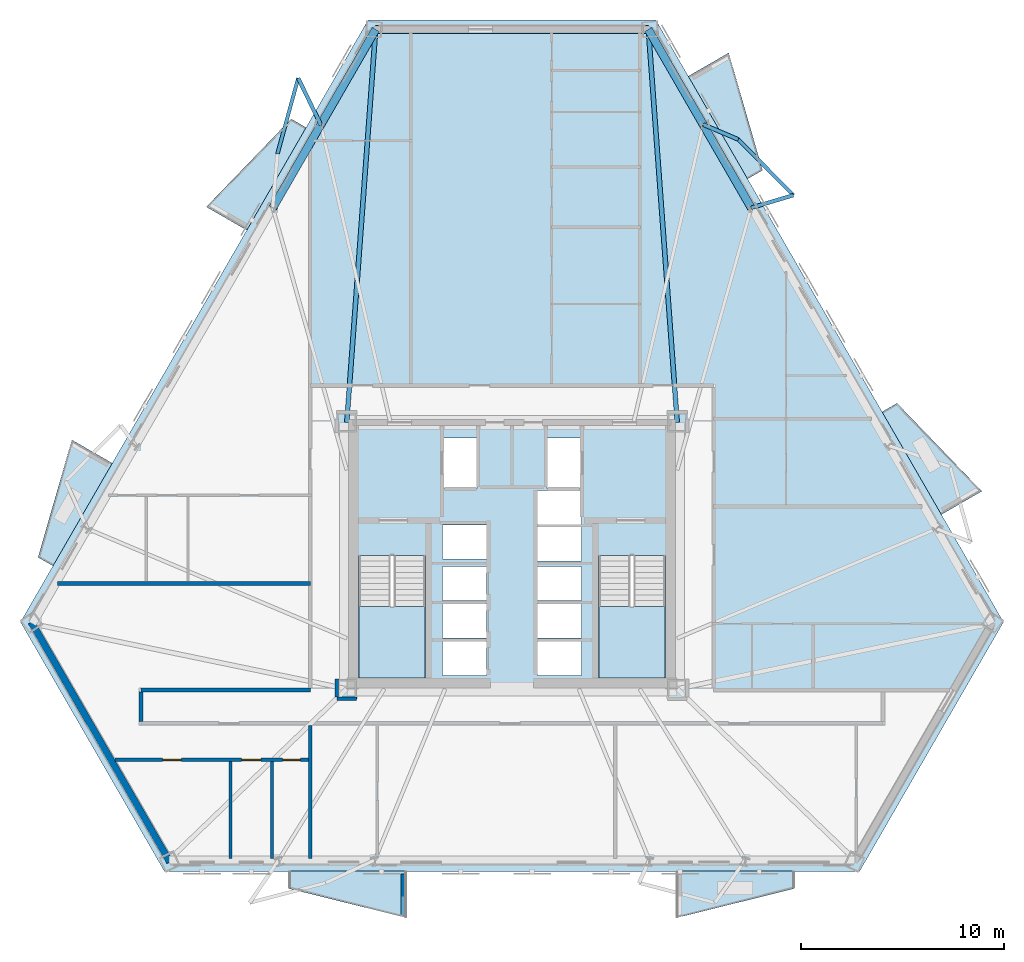
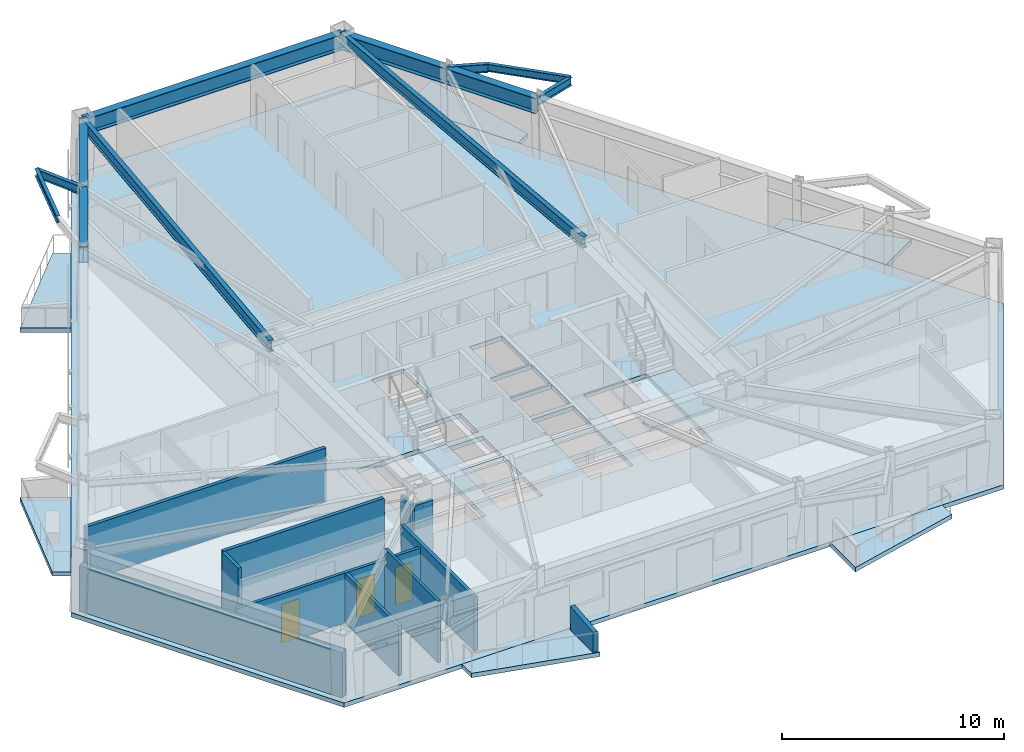
# One storey, part 2 of 10: 12 beams, 11 walls, 9 slabs, 3 doors, 3 openings, 2 elements without a shape of their own.
"""IFC4 building model written with IfcOpenShell, lengths in metres."""

from ifc_helpers import new_model, si_unit, direction, frame, frame_2d, origin, origin_2d, place, context, subcontext, project, spatial, polyline, rectangle, i_section, outline, extrude, material, layer, layer_set, material_profile, profile_set, type_object, element, fill, aggregate, save


model = new_model("IFC4")

# Units and contexts
model_context = context("Model", 3, precision=1e-05, world=origin(), true_north=direction((0.0, 1.0)))
body_context = subcontext(model_context, "Body", "Model", "MODEL_VIEW")
ifc_project = project(units=[si_unit("LENGTHUNIT", "METRE"), si_unit("AREAUNIT", "SQUARE_METRE"), si_unit("VOLUMEUNIT", "CUBIC_METRE"), si_unit("PLANEANGLEUNIT", "RADIAN"), si_unit("MASSUNIT", "GRAM", prefix="KILO")], contexts=[model_context])

# Site, building, storey
site_placement = place(None, origin())
site = spatial("IfcSite", under=ifc_project, at=site_placement, CompositionType="ELEMENT")
building_placement = place(site_placement, origin())
building = spatial("IfcBuilding", under=site, at=building_placement, Name="Oramaril Tower", CompositionType="ELEMENT")
storey_placement = place(building_placement, frame((0.0, 0.0, 66.89990234375)))
storey = spatial("IfcBuildingStorey", under=building, at=storey_placement, Name="L17", CompositionType="ELEMENT", Elevation=66.89990234375)

# Beams
ifc_material_1 = material(Name="Steel ASTM A572 Gr 50", Category="steel")
ifc_material_profile_1 = material_profile(ifc_material_1, i_section(OverallWidth=0.19091796875, OverallDepth=0.45703125, WebThickness=0.009033203125, FlangeThickness=0.014404296875, at=origin_2d()), Name="W18X50")
ifc_profile_set_1 = profile_set([ifc_material_profile_1], Name="Steel ASTM A572 Gr 50")
beam_type_1 = type_object("IfcBeamType", Name="BT-BB1", PredefinedType="BEAM", material=ifc_profile_set_1)
beam_1_placement = place(storey_placement, frame((49.304443359375, 34.73291015625, 3.131591796875), z_axis=(0.958172908425, 0.286189932667, 0.0), x_axis=(-0.286189932667, 0.958172908425, 0.0)))
element("IfcBeam", 1, at=beam_1_placement, inside=storey, type_object=beam_type_1, Name="L17 Balcony Column-Framed Cantilever 04.1", PredefinedType="BEAM", context=body_context, shape_type="SweptSolid", body=[
    extrude(i_section(OverallWidth=0.19091796875, OverallDepth=0.45703125, WebThickness=0.009033203125, FlangeThickness=0.014404296875, at=origin_2d()), origin(), (0.0, 0.0, 1.0), 2.166748046875),
])
beam_2_placement = place(storey_placement, frame((46.934814453125, 38.837158203125, 3.131591796875), z_axis=(0.920614426682, -0.390472889437, 0.0), x_axis=(0.390472889437, 0.920614426682, 0.0)))
element("IfcBeam", 2, at=beam_2_placement, inside=storey, type_object=beam_type_1, Name="L17 Balcony Column-Framed Cantilever 04.2", PredefinedType="BEAM", context=body_context, shape_type="SweptSolid", body=[
    extrude(i_section(OverallWidth=0.19091796875, OverallDepth=0.45703125, WebThickness=0.009033203125, FlangeThickness=0.014404296875, at=origin_2d()), origin(), (0.0, 0.0, 1.0), 1.873779296875),
])
beam_3_placement = place(storey_placement, frame((28.065185546875, 38.837158203125, 3.131591796875), z_axis=(-0.436289971308, 0.899806124082, 0.0), x_axis=(-0.899806124082, -0.436289971308, 0.0)))
element("IfcBeam", 3, at=beam_3_placement, inside=storey, type_object=beam_type_1, Name="L17 Balcony Column-Framed Cantilever 05.1", PredefinedType="BEAM", context=body_context, shape_type="SweptSolid", body=[
    extrude(i_section(OverallWidth=0.19091796875, OverallDepth=0.45703125, WebThickness=0.009033203125, FlangeThickness=0.014404296875, at=origin_2d()), origin(), (0.0, 0.0, 1.0), 2.546630859375),
])
ifc_material_2 = material(Name="Steel ASTM A572 Gr 50", Category="steel")
ifc_material_profile_2 = material_profile(ifc_material_2, i_section(OverallWidth=0.22900390625, OverallDepth=0.612060546875, WebThickness=0.011962890625, FlangeThickness=0.01953125, at=origin_2d()), Name="W24X84")
ifc_profile_set_2 = profile_set([ifc_material_profile_2], Name="Steel ASTM A572 Gr 50")
beam_type_2 = type_object("IfcBeamType", Name="BT-FB1", PredefinedType="BEAM", material=ifc_profile_set_2)
for number, where, z_axis, x_axis, name in (
    (4, (45.64990234375, 24.14990234375, 3.05419921875), (-0.073241754836, 0.997314215956, 0.0), (-0.997314215956, -0.073241754836, 0.0), "L17 Radial Primary Beam RB-05"),
    (5, (29.35009765625, 24.14990234375, 3.05419921875), (0.073241754836, 0.997314215956, 0.0), (-0.997314215956, 0.073241754836, 0.0), "L17 Radial Primary Beam RB-06"),
):
    element("IfcBeam", number, at=place(storey_placement, frame(where, z_axis=z_axis, x_axis=x_axis)), inside=storey, type_object=beam_type_2, Name=name, PredefinedType="BEAM", context=body_context, shape_type="SweptSolid", body=[
        extrude(i_section(OverallWidth=0.22900390625, OverallDepth=0.612060546875, WebThickness=0.011962890625, FlangeThickness=0.01953125, at=origin_2d()), origin(), (0.0, 0.0, 1.0), 19.43017578125),
    ])
ifc_material_3 = material(Name="Steel ASTM A572 Gr 50", Category="steel")
ifc_material_profile_3 = material_profile(ifc_material_3, i_section(OverallWidth=0.177978515625, OverallDepth=0.404052734375, WebThickness=0.007568359375, FlangeThickness=0.010986328125, at=origin_2d()), Name="W16X36")
ifc_profile_set_3 = profile_set([ifc_material_profile_3], Name="Steel ASTM A572 Gr 50")
beam_type_3 = type_object("IfcBeamType", Name="BT-SB1", PredefinedType="BEAM", material=ifc_profile_set_3)
for number, where, z_axis, x_axis, name in (
    (6, (51.380615234375, 35.35302734375, 3.158203125), (-0.702994511648, 0.71119527318, 0.0), (-0.71119527318, -0.702994511648, 0.0), "L17 Balcony Edge Tie Beam 04"),
    (7, (26.9541015625, 41.128662109375, 3.158203125), (-0.264440915482, -0.964401888332, 0.0), (0.964401888332, -0.264440915482, 0.0), "L17 Balcony Edge Tie Beam 05"),
):
    element("IfcBeam", number, at=place(storey_placement, frame(where, z_axis=z_axis, x_axis=x_axis)), inside=storey, type_object=beam_type_3, Name=name, PredefinedType="BEAM", context=body_context, shape_type="SweptSolid", body=[
        extrude(i_section(OverallWidth=0.177978515625, OverallDepth=0.404052734375, WebThickness=0.007568359375, FlangeThickness=0.010986328125, at=origin_2d()), origin(), (0.0, 0.0, 1.0), 3.8701171875),
    ])
ifc_material_4 = material(Name="Steel ASTM A572 Gr 50", Category="steel")
ifc_material_profile_4 = material_profile(ifc_material_4, i_section(OverallWidth=0.40087890625, OverallDepth=0.85595703125, WebThickness=0.018310546875, FlangeThickness=0.029296875, at=origin_2d()), Name="W33X201")
ifc_profile_set_4 = profile_set([ifc_material_profile_4], Name="Steel ASTM A572 Gr 50")
beam_type_4 = type_object("IfcBeamType", Name="BT-SP1", PredefinedType="SPANDREL", material=ifc_profile_set_4)
beam_4_placement = place(storey_placement, frame((49.304443359375, 34.73291015625, 2.93212890625), z_axis=(-0.500006360488, 0.866021731524, 0.0), x_axis=(-0.866021731524, -0.500006360488, 0.0)))
element("IfcBeam", 8, at=beam_4_placement, inside=storey, type_object=beam_type_4, Name="L17 Perimeter Spandrel 11", PredefinedType="SPANDREL", context=body_context, shape_type="SweptSolid", body=[
    extrude(i_section(OverallWidth=0.40087890625, OverallDepth=0.85595703125, WebThickness=0.018310546875, FlangeThickness=0.029296875, at=origin_2d()), origin(), (0.0, 0.0, 1.0), 4.7392578125),
])
beam_5_placement = place(storey_placement, frame((46.934814453125, 38.837158203125, 2.93212890625), z_axis=(-0.499978677216, 0.86603771415, 0.0), x_axis=(-0.86603771415, -0.499978677216, 0.0)))
element("IfcBeam", 9, at=beam_5_placement, inside=storey, type_object=beam_type_4, Name="L17 Perimeter Spandrel 12", PredefinedType="SPANDREL", context=body_context, shape_type="SweptSolid", body=[
    extrude(i_section(OverallWidth=0.40087890625, OverallDepth=0.85595703125, WebThickness=0.018310546875, FlangeThickness=0.029296875, at=origin_2d()), origin(), (0.0, 0.0, 1.0), 5.416259765625),
])
beam_6_placement = place(storey_placement, frame((44.226806640625, 43.52783203125, 2.93212890625), z_axis=(-1.0, 0.0, 0.0), x_axis=(0.0, -1.0, 0.0)))
element("IfcBeam", 10, at=beam_6_placement, inside=storey, type_object=beam_type_4, Name="L17 Perimeter Spandrel 13", PredefinedType="SPANDREL", context=body_context, shape_type="SweptSolid", body=[
    extrude(i_section(OverallWidth=0.40087890625, OverallDepth=0.85595703125, WebThickness=0.018310546875, FlangeThickness=0.029296875, at=origin_2d()), origin(), (0.0, 0.0, 1.0), 13.45361328125),
])
beam_7_placement = place(storey_placement, frame((30.773193359375, 43.52783203125, 2.93212890625), z_axis=(-0.499978677216, -0.86603771415, 0.0), x_axis=(0.86603771415, -0.499978677216, 0.0)))
element("IfcBeam", 11, at=beam_7_placement, inside=storey, type_object=beam_type_4, Name="L17 Perimeter Spandrel 14", PredefinedType="SPANDREL", context=body_context, shape_type="SweptSolid", body=[
    extrude(i_section(OverallWidth=0.40087890625, OverallDepth=0.85595703125, WebThickness=0.018310546875, FlangeThickness=0.029296875, at=origin_2d()), origin(), (0.0, 0.0, 1.0), 5.416259765625),
])
beam_8_placement = place(storey_placement, frame((28.065185546875, 38.837158203125, 2.93212890625), z_axis=(-0.500006360488, -0.866021731524, 0.0), x_axis=(0.866021731524, -0.500006360488, 0.0)))
element("IfcBeam", 12, at=beam_8_placement, inside=storey, type_object=beam_type_4, Name="L17 Perimeter Spandrel 15", PredefinedType="SPANDREL", context=body_context, shape_type="SweptSolid", body=[
    extrude(i_section(OverallWidth=0.40087890625, OverallDepth=0.85595703125, WebThickness=0.018310546875, FlangeThickness=0.029296875, at=origin_2d()), origin(), (0.0, 0.0, 1.0), 4.7392578125),
])

# Slabs
ifc_material_5 = material(Name="Concrete C40/50", Category="concrete")
ifc_layer_1 = layer(ifc_material_5, 0.199951171875)
ifc_layer_set_1 = layer_set([ifc_layer_1], Name="SLT-BAL20")
slab_type_1 = type_object("IfcSlabType", Name="SLT-BAL20", PredefinedType="FLOOR", material=ifc_layer_set_1)
slab_1_placement = place(storey_placement, frame((0.0, 0.0, -0.239990234375)))
element("IfcSlab", 13, at=slab_1_placement, inside=storey, type_object=slab_type_1, Name="L17 Cantilevered Balcony Slab L17-BAL-S1", PredefinedType="FLOOR", context=body_context, shape_type="SweptSolid", body=[
    extrude(outline(polyline([(26.4775390625, 2.0078125), (32.32763671875, 2.0078125), (32.32763671875, -0.294189453125), (26.4775390625, 1.156005859375), (26.4775390625, 2.0078125)])), origin(), (0.0, 0.0, 1.0), 0.239990234375),
])
slab_2_placement = place(storey_placement, frame((0.0, 0.0, -0.239990234375)))
element("IfcSlab", 14, at=slab_2_placement, inside=storey, type_object=slab_type_1, Name="L17 Cantilevered Balcony Slab L17-BAL-NE2", PredefinedType="FLOOR", context=body_context, shape_type="SweptSolid", body=[
    extrude(outline(polyline([(49.11962890625, 36.15869140625), (46.194580078125, 41.224853515625), (48.188232421875, 42.375732421875), (49.857421875, 36.584716796875), (49.11962890625, 36.15869140625)])), origin(), (0.0, 0.0, 1.0), 0.239990234375),
])
slab_3_placement = place(storey_placement, frame((0.0, 0.0, -0.239990234375)))
element("IfcSlab", 15, at=slab_3_placement, inside=storey, type_object=slab_type_1, Name="L17 Cantilevered Balcony Slab L17-BAL-NW1", PredefinedType="FLOOR", context=body_context, shape_type="SweptSolid", body=[
    extrude(outline(polyline([(27.343017578125, 38.691650390625), (24.41796875, 33.62548828125), (22.42431640625, 34.776611328125), (26.60498046875, 39.11767578125), (27.343017578125, 38.691650390625)])), origin(), (0.0, 0.0, 1.0), 0.239990234375),
])
ifc_material_6 = material(Name="Concrete C50/60", Category="concrete")
ifc_layer_2 = layer(ifc_material_6, 0.239990234375)
ifc_layer_set_2 = layer_set([ifc_layer_2], Name="SLT-FLR24")
slab_type_2 = type_object("IfcSlabType", Name="SLT-FLR24", PredefinedType="FLOOR", material=ifc_layer_set_2)
slab_4_placement = place(storey_placement, frame((0.0, 0.0, -0.239990234375)))
element("IfcSlab", 16, at=slab_4_placement, inside=storey, type_object=slab_type_2, Name="L17 Structural Floor Slab", PredefinedType="FLOOR", context=body_context, shape_type="SweptSolid", body=[
    extrude(outline(polyline([(13.25634765625, 14.297119140625), (20.3525390625, 2.005859375), (54.6474609375, 2.005859375), (61.74365234375, 14.297119140625), (44.59619140625, 43.9970703125), (30.40380859375, 43.9970703125), (13.25634765625, 14.297119140625)]), holes=[polyline([(29.949951171875, 17.58935546875), (29.949951171875, 11.550048828125), (33.219970703125, 11.550048828125), (33.219970703125, 17.58935546875), (29.949951171875, 17.58935546875)]), polyline([(41.780029296875, 17.58935546875), (41.780029296875, 11.550048828125), (45.050048828125, 11.550048828125), (45.050048828125, 17.58935546875), (41.780029296875, 17.58935546875)]), polyline([(34.110107421875, 20.909912109375), (35.7900390625, 20.909912109375), (35.7900390625, 23.389892578125), (34.110107421875, 23.389892578125), (34.110107421875, 20.909912109375)]), polyline([(39.2099609375, 20.909912109375), (40.889892578125, 20.909912109375), (40.889892578125, 23.389892578125), (39.2099609375, 23.389892578125), (39.2099609375, 20.909912109375)]), polyline([(34.06005859375, 11.659912109375), (36.239990234375, 11.659912109375), (36.239990234375, 13.340087890625), (34.06005859375, 13.340087890625), (34.06005859375, 11.659912109375)]), polyline([(34.06005859375, 13.510009765625), (36.239990234375, 13.510009765625), (36.239990234375, 15.18994140625), (34.06005859375, 15.18994140625), (34.06005859375, 13.510009765625)]), polyline([(34.06005859375, 15.360107421875), (36.239990234375, 15.360107421875), (36.239990234375, 17.0400390625), (34.06005859375, 17.0400390625), (34.06005859375, 15.360107421875)]), polyline([(38.760009765625, 11.659912109375), (40.93994140625, 11.659912109375), (40.93994140625, 13.340087890625), (38.760009765625, 13.340087890625), (38.760009765625, 11.659912109375)]), polyline([(38.760009765625, 13.510009765625), (40.93994140625, 13.510009765625), (40.93994140625, 15.18994140625), (38.760009765625, 15.18994140625), (38.760009765625, 13.510009765625)]), polyline([(38.760009765625, 15.360107421875), (40.93994140625, 15.360107421875), (40.93994140625, 17.0400390625), (38.760009765625, 17.0400390625), (38.760009765625, 15.360107421875)]), polyline([(34.06005859375, 17.409912109375), (36.239990234375, 17.409912109375), (36.239990234375, 19.090087890625), (34.06005859375, 19.090087890625), (34.06005859375, 17.409912109375)]), polyline([(38.760009765625, 17.31005859375), (40.93994140625, 17.31005859375), (40.93994140625, 18.989990234375), (38.760009765625, 18.989990234375), (38.760009765625, 17.31005859375)]), polyline([(38.760009765625, 19.110107421875), (40.93994140625, 19.110107421875), (40.93994140625, 20.7900390625), (38.760009765625, 20.7900390625), (38.760009765625, 19.110107421875)])]), origin(), (0.0, 0.0, 1.0), 0.239990234375),
])

# Stair, slab
ifc_material_7 = material(Name="Concrete C50/60", Category="concrete")
stair_type = type_object("IfcStairType", Name="STT-DG-3600", PredefinedType="HALF_TURN_STAIR", material=ifc_material_7)
stair_1_placement = place(storey_placement, origin())
stair_1 = element("IfcStair", 17, at=stair_1_placement, inside=storey, type_object=stair_type, Name="L17 Protected PFP Exit Stair ST-1", PredefinedType="HALF_TURN_STAIR")
ifc_material_8 = material(Name="Concrete C50/60", Category="concrete")
ifc_layer_3 = layer(ifc_material_8, 0.199951171875)
ifc_layer_set_3 = layer_set([ifc_layer_3], Name="SLT-LND20")
slab_type_3 = type_object("IfcSlabType", Name="SLT-LND20", PredefinedType="LANDING", material=ifc_layer_set_3)
slab_5_placement = place(storey_placement, frame((0.0, 0.0, 1.60009765625)))
slab_5 = element("IfcSlab", 18, at=slab_5_placement, type_object=slab_type_3, Name="ST-1 landing 1", PredefinedType="LANDING", context=body_context, shape_type="SweptSolid", body=[
    extrude(outline(polyline([(29.949951171875, 15.070068359375), (29.949951171875, 11.550048828125), (33.219970703125, 11.550048828125), (33.219970703125, 15.070068359375), (29.949951171875, 15.070068359375)])), origin(), (0.0, 0.0, 1.0), 0.199951171875),
])
aggregate(stair_1, [slab_5])

stair_2_placement = place(storey_placement, origin())
stair_2 = element("IfcStair", 19, at=stair_2_placement, inside=storey, type_object=stair_type, Name="L17 Protected PFP Exit Stair ST-2", PredefinedType="HALF_TURN_STAIR")
slab_6_placement = place(storey_placement, frame((0.0, 0.0, 1.60009765625)))
slab_6 = element("IfcSlab", 20, at=slab_6_placement, type_object=slab_type_3, Name="ST-2 landing 1", PredefinedType="LANDING", context=body_context, shape_type="SweptSolid", body=[
    extrude(outline(polyline([(41.780029296875, 15.070068359375), (41.780029296875, 11.550048828125), (45.050048828125, 11.550048828125), (45.050048828125, 15.070068359375), (41.780029296875, 15.070068359375)])), origin(), (0.0, 0.0, 1.0), 0.199951171875),
])
aggregate(stair_2, [slab_6])

# Slabs
ifc_material_9 = material(Name="Concrete C40/50", Category="concrete")
ifc_layer_4 = layer(ifc_material_9, 0.18994140625)
ifc_layer_set_4 = layer_set([ifc_layer_4], Name="SLT-PLN19")
slab_type_4 = type_object("IfcSlabType", Name="SLT-PLN19", PredefinedType="FLOOR", material=ifc_layer_set_4)
slab_7_placement = place(storey_placement, frame((0.0, 0.0, -0.239990234375)))
element("IfcSlab", 21, at=slab_7_placement, inside=storey, type_object=slab_type_4, Name="L17 Tree Planter Balcony Slab L17-BAL-S2", PredefinedType="FLOOR", context=body_context, shape_type="SweptSolid", body=[
    extrude(outline(polyline([(45.597412109375, 2.0078125), (51.447509765625, 2.0078125), (51.447509765625, 1.156005859375), (45.597412109375, -0.294189453125), (45.597412109375, 2.0078125)])), origin(), (0.0, 0.0, 1.0), 0.239990234375),
])
slab_8_placement = place(storey_placement, frame((0.0, 0.0, -0.239990234375)))
element("IfcSlab", 22, at=slab_8_placement, inside=storey, type_object=slab_type_4, Name="L17 Tree Planter Balcony Slab L17-BAL-NE1", PredefinedType="FLOOR", context=body_context, shape_type="SweptSolid", body=[
    extrude(outline(polyline([(58.679443359375, 19.600341796875), (55.75439453125, 24.66650390625), (56.4921875, 25.092529296875), (60.673095703125, 20.75146484375), (58.679443359375, 19.600341796875)])), origin(), (0.0, 0.0, 1.0), 0.239990234375),
])
slab_9_placement = place(storey_placement, frame((0.0, 0.0, -0.239990234375)))
element("IfcSlab", 23, at=slab_9_placement, inside=storey, type_object=slab_type_4, Name="L17 Tree Planter Balcony Slab L17-BAL-NW2", PredefinedType="FLOOR", context=body_context, shape_type="SweptSolid", body=[
    extrude(outline(polyline([(17.782958984375, 22.133544921875), (14.85791015625, 17.0673828125), (14.1201171875, 17.493408203125), (15.789306640625, 23.284423828125), (17.782958984375, 22.133544921875)])), origin(), (0.0, 0.0, 1.0), 0.239990234375),
])

# Walls
ifc_material_10 = material(Name="Warm Cream Limestone", Category="masonry")
ifc_layer_5 = layer(ifc_material_10, 0.340087890625)
ifc_layer_set_5 = layer_set([ifc_layer_5], Name="WT-EXT34")
wall_type_1 = type_object("IfcWallType", Name="WT-EXT34", PredefinedType="SOLIDWALL", material=ifc_layer_set_5)
wall_1_placement = place(storey_placement, frame((13.78759765625, 14.297119140625, 0.0), z_axis=(0.0, 0.0, 1.0), x_axis=(0.499986980295, -0.866032920584, 0.0)))
element("IfcWall", 24, at=wall_1_placement, inside=storey, type_object=wall_type_1, Name="L17 Tower Limestone Facade Wall 1M", PredefinedType="SOLIDWALL", context=body_context, shape_type="SweptSolid", body=[
    extrude(rectangle(XDim=13.661376953125, YDim=0.340087890625, at=frame_2d((6.83056640625, 0.0))), origin(), (0.0, 0.0, 1.0), 2.494140625),
])
ifc_material_11 = material(Name="Concrete C40/50", Category="concrete")
ifc_layer_6 = layer(ifc_material_11, 0.22998046875)
ifc_layer_set_6 = layer_set([ifc_layer_6], Name="WT-PRP23")
wall_type_2 = type_object("IfcWallType", Name="WT-PRP23", PredefinedType="PARAPET", material=ifc_layer_set_6)
wall_2_placement = place(storey_placement, frame((32.147705078125, 1.867919921875, 0.0), z_axis=(0.0, 0.0, 1.0), x_axis=(0.0, -1.0, 0.0)))
element("IfcWall", 25, at=wall_2_placement, inside=storey, type_object=wall_type_2, Name="L17 Trapezoidal Balcony Frame Cheek L17-BAL-S1-R", PredefinedType="PARAPET", context=body_context, shape_type="SweptSolid", body=[
    extrude(outline(polyline([(0.0, 0.0), (2.0419921875, 0.0), (2.0419921875, 1.10009765625), (0.0, 1.320068359375), (0.0, 0.0)])), frame((0.0, 0.114990234375, 0.0), z_axis=(0.0, -1.0, 0.0), x_axis=(1.0, 0.0, 0.0)), (0.0, 0.0, 1.0), 0.22998046875),
])
ifc_material_12 = material(Name="Acoustic Gypsum Board Partition")
ifc_layer_7 = layer(ifc_material_12, 0.139892578125)
ifc_layer_set_7 = layer_set([ifc_layer_7], Name="WT-PT14")
wall_type_3 = type_object("IfcWallType", Name="WT-PT14", PredefinedType="PARTITIONING", material=ifc_layer_set_7)
wall_3_placement = place(storey_placement, frame((25.659912109375, 2.639892578125, 0.0), z_axis=(0.0, 0.0, 1.0), x_axis=(0.0, 1.0, 0.0)))
element("IfcWall", 26, at=wall_3_placement, inside=storey, type_object=wall_type_3, Name="L17 Interior Partition PT-14", PredefinedType="PARTITIONING", context=body_context, shape_type="SweptSolid", body=[
    extrude(rectangle(XDim=4.7861328125, YDim=0.139892578125, at=frame_2d((2.39306640625, 0.0))), origin(), (0.0, 0.0, 1.0), 3.360107421875),
])

# Wall, openings, doors
ifc_material_13 = material(Name="Acoustic Gypsum Board Partition")
ifc_layer_8 = layer(ifc_material_13, 0.159912109375)
ifc_layer_set_8 = layer_set([ifc_layer_8], Name="WT-PT16")
wall_type_4 = type_object("IfcWallType", Name="WT-PT16", PredefinedType="PARTITIONING", material=ifc_layer_set_8)
wall_4_placement = place(storey_placement, frame((17.906982421875, 7.510009765625, 0.0), z_axis=(0.0, 0.0, 1.0), x_axis=(1.0, 0.0, 0.0)))
wall_4 = element("IfcWall", 27, at=wall_4_placement, inside=storey, type_object=wall_type_4, Name="L17 Interior Partition PT-16", PredefinedType="PARTITIONING", context=body_context, shape_type="SweptSolid", body=[
    extrude(rectangle(XDim=9.693115234375, YDim=0.159912109375, at=frame_2d((4.8466796875, 0.0))), origin(), (0.0, 0.0, 1.0), 2.738037109375),
])
opening_1_placement = place(wall_4_placement, frame((2.36376953125, 0.0, 0.0)))
opening_1 = element("IfcOpeningElement", 28, at=opening_1_placement, cuts=wall_4, Name="Opening D-L17-01", PredefinedType="OPENING", context=body_context, shape_type="SweptSolid", body=[
    extrude(rectangle(XDim=0.919921875, YDim=2.1201171875, at=frame_2d((0.4599609375, 1.06005859375))), frame((0.0, 0.080078125, 0.0), z_axis=(0.0, -1.0, 0.0), x_axis=(1.0, 0.0, 0.0)), (0.0, 0.0, 1.0), 0.159912109375),
])
opening_2_placement = place(wall_4_placement, frame((6.253173828125, 0.0, 0.0)))
opening_2 = element("IfcOpeningElement", 29, at=opening_2_placement, cuts=wall_4, Name="Opening D-L17-02", PredefinedType="OPENING", context=body_context, shape_type="SweptSolid", body=[
    extrude(rectangle(XDim=0.949951171875, YDim=2.10009765625, at=frame_2d((0.47509765625, 1.050048828125))), frame((0.0, 0.080078125, 0.0), z_axis=(0.0, -1.0, 0.0), x_axis=(1.0, 0.0, 0.0)), (0.0, 0.0, 1.0), 0.159912109375),
])
opening_3_placement = place(wall_4_placement, frame((8.273193359375, 0.0, 0.0)))
opening_3 = element("IfcOpeningElement", 30, at=opening_3_placement, cuts=wall_4, Name="Opening D-L17-03", PredefinedType="OPENING", context=body_context, shape_type="SweptSolid", body=[
    extrude(rectangle(XDim=0.8798828125, YDim=2.080078125, at=frame_2d((0.43994140625, 1.0400390625))), frame((0.0, 0.080078125, 0.0), z_axis=(0.0, -1.0, 0.0), x_axis=(1.0, 0.0, 0.0)), (0.0, 0.0, 1.0), 0.159912109375),
])
ifc_material_14 = material(Name="FSC Brazilian Freijo Hardwood", Category="wood")
door_type_1 = type_object("IfcDoorType", Name="DT-BATH", OperationType="NOTDEFINED", PredefinedType="DOOR", material=ifc_material_14)
door_1_placement = place(opening_3_placement, origin())
door_1 = element("IfcDoor", 31, at=door_1_placement, inside=storey, type_object=door_type_1, Name="L17 Flat L17-U3 Bathroom Door D-L17-03", OperationType="SINGLE_SWING_RIGHT", OverallHeight=2.080078125, OverallWidth=0.8798828125, PredefinedType="DOOR", context=body_context, shape_type="SweptSolid", body=[
    extrude(rectangle(XDim=0.8798828125, YDim=2.080078125, at=frame_2d((0.43994140625, 1.0400390625))), frame((0.0, 0.02490234375, 0.0), z_axis=(0.0, -1.0, 0.0), x_axis=(1.0, 0.0, 0.0)), (0.0, 0.0, 1.0), 0.050048828125),
])
fill(opening_3, door_1)
ifc_material_15 = material(Name="FSC Brazilian Freijo Hardwood", Category="wood")
door_type_2 = type_object("IfcDoorType", Name="DT-BED", OperationType="NOTDEFINED", PredefinedType="DOOR", material=ifc_material_15)
door_2_placement = place(opening_1_placement, origin())
door_2 = element("IfcDoor", 32, at=door_2_placement, inside=storey, type_object=door_type_2, Name="L17 Flat L17-U3 Master Bedroom Door D-L17-01", OperationType="SINGLE_SWING_RIGHT", OverallHeight=2.1201171875, OverallWidth=0.919921875, PredefinedType="DOOR", context=body_context, shape_type="SweptSolid", body=[
    extrude(rectangle(XDim=0.919921875, YDim=2.1201171875, at=frame_2d((0.4599609375, 1.06005859375))), frame((0.0, 0.02490234375, 0.0), z_axis=(0.0, -1.0, 0.0), x_axis=(1.0, 0.0, 0.0)), (0.0, 0.0, 1.0), 0.050048828125),
])
fill(opening_1, door_2)
ifc_material_16 = material(Name="FSC Brazilian Freijo Hardwood", Category="wood")
door_type_3 = type_object("IfcDoorType", Name="DT-STDY", OperationType="NOTDEFINED", PredefinedType="DOOR", material=ifc_material_16)
door_3_placement = place(opening_2_placement, origin())
door_3 = element("IfcDoor", 33, at=door_3_placement, inside=storey, type_object=door_type_3, Name="L17 Flat L17-U3 Kitchen Door D-L17-02", OperationType="SINGLE_SWING_LEFT", OverallHeight=2.10009765625, OverallWidth=0.949951171875, PredefinedType="DOOR", context=body_context, shape_type="SweptSolid", body=[
    extrude(rectangle(XDim=0.949951171875, YDim=2.10009765625, at=frame_2d((0.47509765625, 1.050048828125))), frame((0.0, 0.02490234375, 0.0), z_axis=(0.0, -1.0, 0.0), x_axis=(1.0, 0.0, 0.0)), (0.0, 0.0, 1.0), 0.050048828125),
])
fill(opening_2, door_3)

# Walls
wall_5_placement = place(storey_placement, frame((23.610107421875, 2.639892578125, 0.0), z_axis=(0.0, 0.0, 1.0), x_axis=(0.0, 1.0, 0.0)))
element("IfcWall", 34, at=wall_5_placement, inside=storey, type_object=wall_type_4, Name="L17 Interior Partition PT-16", PredefinedType="PARTITIONING", context=body_context, shape_type="SweptSolid", body=[
    extrude(rectangle(XDim=4.7861328125, YDim=0.159912109375, at=frame_2d((2.39306640625, 0.0))), origin(), (0.0, 0.0, 1.0), 2.738037109375),
])
ifc_material_17 = material(Name="Autoclaved Cellular Concrete Block", Category="concrete")
ifc_layer_9 = layer(ifc_material_17, 0.179931640625)
ifc_layer_set_9 = layer_set([ifc_layer_9], Name="WT-PT18")
wall_type_5 = type_object("IfcWallType", Name="WT-PT18", PredefinedType="PARTITIONING", material=ifc_layer_set_9)
wall_6_placement = place(storey_placement, frame((28.860107421875, 10.510009765625, 0.0), z_axis=(0.0, 0.0, 1.0), x_axis=(1.0, 0.0, 0.0)))
element("IfcWall", 35, at=wall_6_placement, inside=storey, type_object=wall_type_5, Name="L17 Interior Partition PT-18", PredefinedType="PARTITIONING", context=body_context, shape_type="SweptSolid", body=[
    extrude(rectangle(XDim=0.97998046875, YDim=0.179931640625, at=frame_2d((0.489990234375, 0.0))), origin(), (0.0, 0.0, 1.0), 2.738037109375),
])
wall_7_placement = place(storey_placement, frame((19.199951171875, 10.949951171875, 0.0), z_axis=(0.0, 0.0, 1.0), x_axis=(1.0, 0.0, 0.0)))
element("IfcWall", 36, at=wall_7_placement, inside=storey, type_object=wall_type_5, Name="L17 Interior Partition PT-18", PredefinedType="PARTITIONING", context=body_context, shape_type="SweptSolid", body=[
    extrude(rectangle(XDim=8.35009765625, YDim=0.179931640625, at=frame_2d((4.175048828125, 0.0))), origin(), (0.0, 0.0, 1.0), 3.360107421875),
])
wall_8_placement = place(storey_placement, frame((15.087158203125, 16.199951171875, 0.0), z_axis=(0.0, 0.0, 1.0), x_axis=(1.0, 0.0, 0.0)))
element("IfcWall", 37, at=wall_8_placement, inside=storey, type_object=wall_type_5, Name="L17 Interior Partition PT-18", PredefinedType="PARTITIONING", context=body_context, shape_type="SweptSolid", body=[
    extrude(rectangle(XDim=12.462890625, YDim=0.179931640625, at=frame_2d((6.2314453125, 0.0))), origin(), (0.0, 0.0, 1.0), 2.946044921875),
])
wall_9_placement = place(storey_placement, frame((19.199951171875, 9.39404296875, 0.0), z_axis=(0.0, 0.0, 1.0), x_axis=(0.0, 1.0, 0.0)))
element("IfcWall", 38, at=wall_9_placement, inside=storey, type_object=wall_type_5, Name="L17 Interior Partition PT-18", PredefinedType="PARTITIONING", context=body_context, shape_type="SweptSolid", body=[
    extrude(rectangle(XDim=1.4619140625, YDim=0.179931640625, at=frame_2d((0.73095703125, 0.0))), origin(), (0.0, 0.0, 1.0), 3.360107421875),
])
wall_10_placement = place(storey_placement, frame((27.550048828125, 2.639892578125, 0.0), z_axis=(0.0, 0.0, 1.0), x_axis=(0.0, 1.0, 0.0)))
element("IfcWall", 39, at=wall_10_placement, inside=storey, type_object=wall_type_5, Name="L17 Interior Partition PT-18", PredefinedType="PARTITIONING", context=body_context, shape_type="SweptSolid", body=[
    extrude(rectangle(XDim=6.566162109375, YDim=0.179931640625, at=frame_2d((3.283203125, 0.0))), origin(), (0.0, 0.0, 1.0), 2.946044921875),
])
wall_11_placement = place(storey_placement, frame((28.860107421875, 10.60400390625, 0.0), z_axis=(0.0, 0.0, 1.0), x_axis=(0.0, 1.0, 0.0)))
element("IfcWall", 40, at=wall_11_placement, inside=storey, type_object=wall_type_5, Name="L17 Interior Partition PT-18", PredefinedType="PARTITIONING", context=body_context, shape_type="SweptSolid", body=[
    extrude(rectangle(XDim=0.89111328125, YDim=0.179931640625, at=frame_2d((0.445556640625, 0.0))), origin(), (0.0, 0.0, 1.0), 2.738037109375),
])

save(model, "model.ifc")
